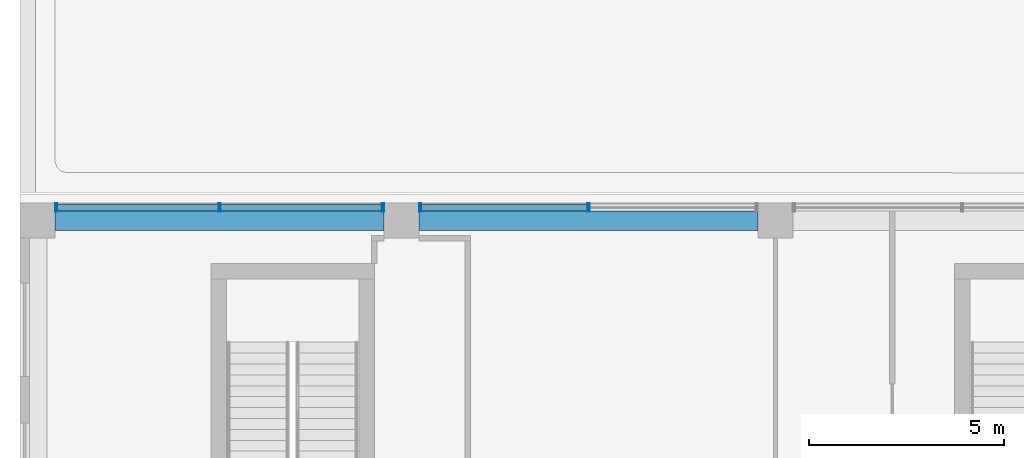
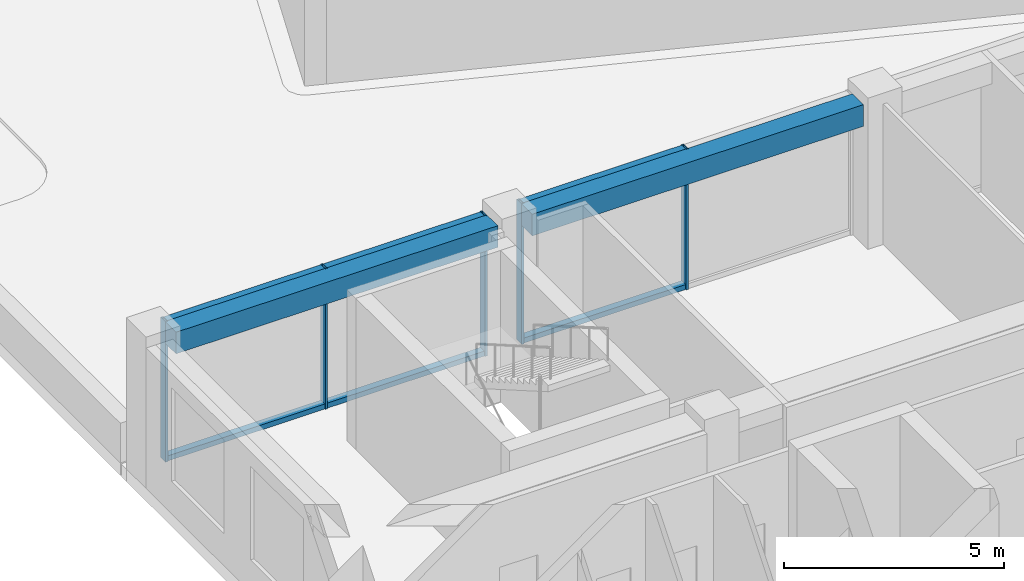
# One storey, part 21 of 72: 11 members, 2 beams, 2 elements without a shape of their own.
"""IFC4 building model written with IfcOpenShell, lengths in metres."""

from ifc_helpers import new_model, si_unit, direction, frame, origin, origin_2d, place, context, subcontext, project, spatial, rectangle, hollow_rectangle, extrude, material, layer, layer_set, material_profile, profile_set, type_object, element, aggregate, save


model = new_model("IFC4")

# Units and contexts
model_context = context("Model", 3, precision=1e-05, world=origin(), true_north=direction((0.0, 1.0)))
body_context = subcontext(model_context, "Body", "Model", "MODEL_VIEW")
ifc_project = project(units=[si_unit("LENGTHUNIT", "METRE"), si_unit("AREAUNIT", "SQUARE_METRE"), si_unit("VOLUMEUNIT", "CUBIC_METRE"), si_unit("PLANEANGLEUNIT", "RADIAN"), si_unit("MASSUNIT", "GRAM", prefix="KILO")], contexts=[model_context])

# Site, building, storey
site_placement = place(None, origin())
site = spatial("IfcSite", under=ifc_project, at=site_placement, CompositionType="ELEMENT")
building_placement = place(site_placement, origin())
building = spatial("IfcBuilding", under=site, at=building_placement, Name="Nzadi Deep Aquarium and Research Tower", CompositionType="ELEMENT")
storey_placement = place(building_placement, frame((0.0, 0.0, 31.89990234375)))
storey = spatial("IfcBuildingStorey", under=building, at=storey_placement, Name="L05", CompositionType="ELEMENT", Elevation=31.89990234375)

# Curtain wall, members
ifc_material_1 = material(Name="Aluminium unitised frame deep", Category="aluminium")
ifc_layer = layer(ifc_material_1, 0.22509765625)
ifc_layer_set = layer_set([ifc_layer], Name="Aluminium unitised frame deep")
curtain_wall_type = type_object("IfcCurtainWallType", Name="Curtain wall Unitised Deep 225", PredefinedType="NOTDEFINED", material=ifc_layer_set)
curtain_wall_1_placement = place(storey_placement, origin())
curtain_wall_1 = element("IfcCurtainWall", 1, at=curtain_wall_1_placement, inside=storey, type_object=curtain_wall_type, Name="Unitised curtain wall blade B north L05", PredefinedType="NOTDEFINED")
ifc_material_2 = material(Name="Aluminium unitised frame deep", Category="aluminium")
ifc_material_profile_1 = material_profile(ifc_material_2, hollow_rectangle(XDim=0.22509765625, YDim=0.06005859375, WallThickness=0.0048828125, at=origin_2d()))
ifc_profile_set_1 = profile_set([ifc_material_profile_1], Name="Aluminium unitised frame deep")
member_type_1 = type_object("IfcMemberType", Name="Mullion 60x225 Unitised Deep", PredefinedType="MULLION", material=ifc_profile_set_1)
member_1_placement = place(storey_placement, frame((0.72998046875, 46.33740234375, 0.0), z_axis=(0.0, 0.0, 1.0), x_axis=(0.0, 1.0, 0.0)))
member_1 = element("IfcMember", 2, at=member_1_placement, type_object=member_type_1, Name="CW083 mullion 1", PredefinedType="MULLION", context=body_context, shape_type="SweptSolid", body=[
    extrude(hollow_rectangle(XDim=0.22509765625, YDim=0.06005859375, WallThickness=0.0048828125, at=origin_2d()), origin(), (0.0, 0.0, 1.0), 3.900146484375),
])
member_2_placement = place(storey_placement, frame((4.925048828125, 46.33740234375, 0.0), z_axis=(0.0, 0.0, 1.0), x_axis=(0.0, 1.0, 0.0)))
member_2 = element("IfcMember", 3, at=member_2_placement, type_object=member_type_1, Name="CW083 mullion 2", PredefinedType="MULLION", context=body_context, shape_type="SweptSolid", body=[
    extrude(hollow_rectangle(XDim=0.22509765625, YDim=0.06005859375, WallThickness=0.0048828125, at=origin_2d()), origin(), (0.0, 0.0, 1.0), 3.900146484375),
])
member_3_placement = place(storey_placement, frame((9.1201171875, 46.33740234375, 0.0), z_axis=(0.0, 0.0, 1.0), x_axis=(0.0, 1.0, 0.0)))
member_3 = element("IfcMember", 4, at=member_3_placement, type_object=member_type_1, Name="CW083 mullion 3", PredefinedType="MULLION", context=body_context, shape_type="SweptSolid", body=[
    extrude(hollow_rectangle(XDim=0.22509765625, YDim=0.06005859375, WallThickness=0.0048828125, at=origin_2d()), origin(), (0.0, 0.0, 1.0), 3.900146484375),
])

curtain_wall_2_placement = place(storey_placement, origin())
curtain_wall_2 = element("IfcCurtainWall", 5, at=curtain_wall_2_placement, inside=storey, type_object=curtain_wall_type, Name="Unitised curtain wall blade B north L05", PredefinedType="NOTDEFINED")
member_4_placement = place(storey_placement, frame((10.080078125, 46.33740234375, 0.0), z_axis=(0.0, 0.0, 1.0), x_axis=(0.0, 1.0, 0.0)))
member_4 = element("IfcMember", 6, at=member_4_placement, type_object=member_type_1, Name="CW084 mullion 1", PredefinedType="MULLION", context=body_context, shape_type="SweptSolid", body=[
    extrude(hollow_rectangle(XDim=0.22509765625, YDim=0.06005859375, WallThickness=0.0048828125, at=origin_2d()), origin(), (0.0, 0.0, 1.0), 3.900146484375),
])
member_5_placement = place(storey_placement, frame((14.39990234375, 46.33740234375, 0.0), z_axis=(0.0, 0.0, 1.0), x_axis=(0.0, 1.0, 0.0)))
member_5 = element("IfcMember", 7, at=member_5_placement, type_object=member_type_1, Name="CW084 mullion 2", PredefinedType="MULLION", context=body_context, shape_type="SweptSolid", body=[
    extrude(hollow_rectangle(XDim=0.22509765625, YDim=0.06005859375, WallThickness=0.0048828125, at=origin_2d()), origin(), (0.0, 0.0, 1.0), 3.900146484375),
])

# Beams
ifc_material_3 = material(Name="Concrete C35/45", Category="concrete")
ifc_material_profile_2 = material_profile(ifc_material_3, rectangle(XDim=0.5, YDim=0.60009765625, at=origin_2d()))
ifc_profile_set_2 = profile_set([ifc_material_profile_2], Name="Concrete C35/45")
beam_type = type_object("IfcBeamType", Name="RC 500x600", PredefinedType="BEAM", material=ifc_profile_set_2)
beam_1_placement = place(storey_placement, frame((0.699951171875, 46.0, 3.60009765625), z_axis=(1.0, 0.0, 0.0), x_axis=(0.0, 1.0, 0.0)))
element("IfcBeam", 8, at=beam_1_placement, inside=storey, type_object=beam_type, Name="B-Z1-L05-L6-1", PredefinedType="BEAM", context=body_context, shape_type="SweptSolid", body=[
    extrude(rectangle(XDim=0.5, YDim=0.60009765625, at=origin_2d()), origin(), (0.0, 0.0, 1.0), 8.449951171875),
])
beam_2_placement = place(storey_placement, frame((10.050048828125, 46.0, 3.60009765625), z_axis=(1.0, 0.0, 0.0), x_axis=(0.0, 1.0, 0.0)))
element("IfcBeam", 9, at=beam_2_placement, inside=storey, type_object=beam_type, Name="B-Z1-L05-L6-2", PredefinedType="BEAM", context=body_context, shape_type="SweptSolid", body=[
    extrude(rectangle(XDim=0.5, YDim=0.60009765625, at=origin_2d()), origin(), (0.0, 0.0, 1.0), 8.699951171875),
])

# Member
ifc_material_4 = material(Name="Aluminium unitised frame deep", Category="aluminium")
ifc_material_profile_3 = material_profile(ifc_material_4, hollow_rectangle(XDim=0.179931640625, YDim=0.139892578125, WallThickness=0.0048828125, at=origin_2d()))
ifc_profile_set_3 = profile_set([ifc_material_profile_3], Name="Aluminium unitised frame deep")
member_type_2 = type_object("IfcMemberType", Name="Transom 140x180 Unitised Deep", PredefinedType="MULLION", material=ifc_profile_set_3)
member_6_placement = place(storey_placement, frame((0.760009765625, 46.33740234375, 0.070068359375), z_axis=(1.0, 0.0, 0.0), x_axis=(0.0, 1.0, 0.0)))
member_6 = element("IfcMember", 10, at=member_6_placement, type_object=member_type_2, Name="CW083 transom 1.1", PredefinedType="MULLION", context=body_context, shape_type="SweptSolid", body=[
    extrude(hollow_rectangle(XDim=0.179931640625, YDim=0.139892578125, WallThickness=0.0048828125, at=origin_2d()), origin(), (0.0, 0.0, 1.0), 4.135009765625),
])

member_7_placement = place(storey_placement, frame((0.760009765625, 46.33740234375, 3.830078125), z_axis=(1.0, 0.0, 0.0), x_axis=(0.0, 1.0, 0.0)))
member_7 = element("IfcMember", 11, at=member_7_placement, type_object=member_type_2, Name="CW083 transom 1.2", PredefinedType="MULLION", context=body_context, shape_type="SweptSolid", body=[
    extrude(hollow_rectangle(XDim=0.179931640625, YDim=0.139892578125, WallThickness=0.0048828125, at=origin_2d()), origin(), (0.0, 0.0, 1.0), 4.135009765625),
])

member_8_placement = place(storey_placement, frame((4.955078125, 46.33740234375, 0.070068359375), z_axis=(1.0, 0.0, 0.0), x_axis=(0.0, 1.0, 0.0)))
member_8 = element("IfcMember", 12, at=member_8_placement, type_object=member_type_2, Name="CW083 transom 2.1", PredefinedType="MULLION", context=body_context, shape_type="SweptSolid", body=[
    extrude(hollow_rectangle(XDim=0.179931640625, YDim=0.139892578125, WallThickness=0.0048828125, at=origin_2d()), origin(), (0.0, 0.0, 1.0), 4.135009765625),
])

member_9_placement = place(storey_placement, frame((4.955078125, 46.33740234375, 3.830078125), z_axis=(1.0, 0.0, 0.0), x_axis=(0.0, 1.0, 0.0)))
member_9 = element("IfcMember", 13, at=member_9_placement, type_object=member_type_2, Name="CW083 transom 2.2", PredefinedType="MULLION", context=body_context, shape_type="SweptSolid", body=[
    extrude(hollow_rectangle(XDim=0.179931640625, YDim=0.139892578125, WallThickness=0.0048828125, at=origin_2d()), origin(), (0.0, 0.0, 1.0), 4.135009765625),
])

aggregate(curtain_wall_1, [member_1, member_2, member_3, member_6, member_7, member_8, member_9])

member_10_placement = place(storey_placement, frame((10.110107421875, 46.33740234375, 0.070068359375), z_axis=(1.0, 0.0, 0.0), x_axis=(0.0, 1.0, 0.0)))
member_10 = element("IfcMember", 14, at=member_10_placement, type_object=member_type_2, Name="CW084 transom 1.1", PredefinedType="MULLION", context=body_context, shape_type="SweptSolid", body=[
    extrude(hollow_rectangle(XDim=0.179931640625, YDim=0.139892578125, WallThickness=0.0048828125, at=origin_2d()), origin(), (0.0, 0.0, 1.0), 4.260009765625),
])

member_11_placement = place(storey_placement, frame((10.110107421875, 46.33740234375, 3.830078125), z_axis=(1.0, 0.0, 0.0), x_axis=(0.0, 1.0, 0.0)))
member_11 = element("IfcMember", 15, at=member_11_placement, type_object=member_type_2, Name="CW084 transom 1.2", PredefinedType="MULLION", context=body_context, shape_type="SweptSolid", body=[
    extrude(hollow_rectangle(XDim=0.179931640625, YDim=0.139892578125, WallThickness=0.0048828125, at=origin_2d()), origin(), (0.0, 0.0, 1.0), 4.260009765625),
])

aggregate(curtain_wall_2, [member_4, member_5, member_10, member_11])

save(model, "model.ifc")
